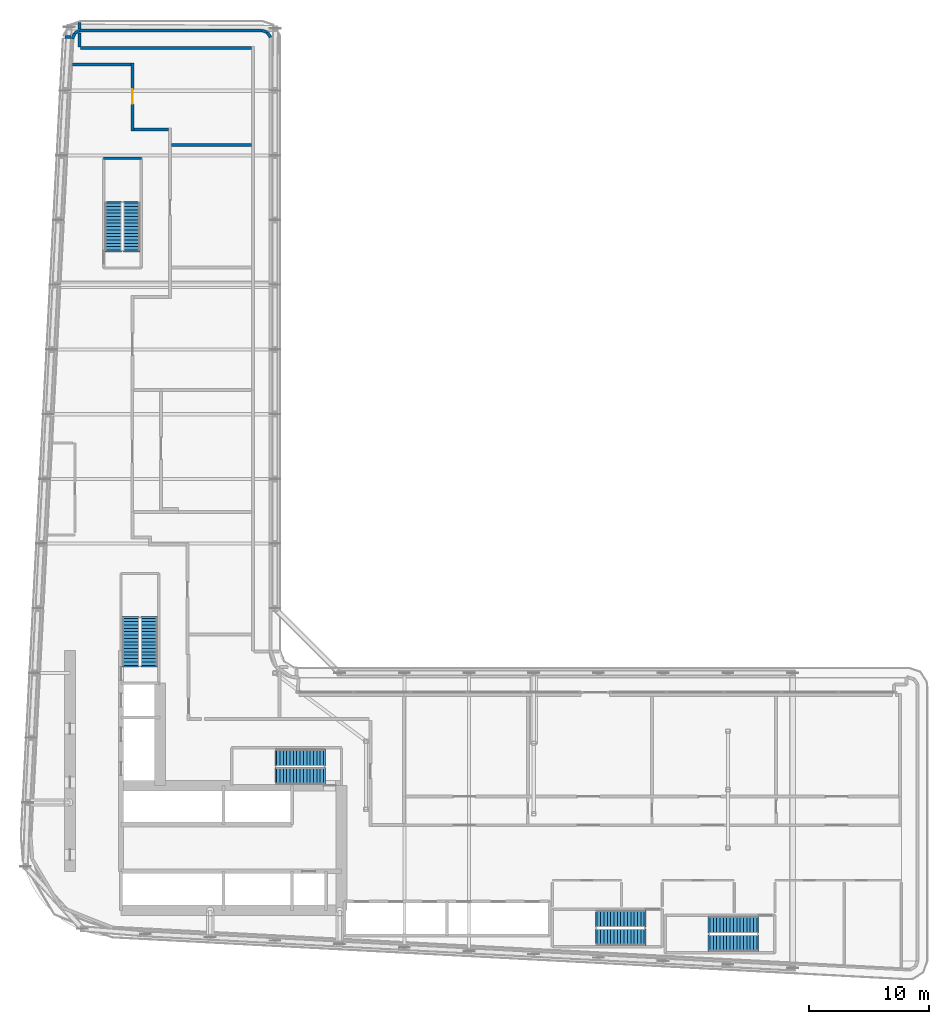
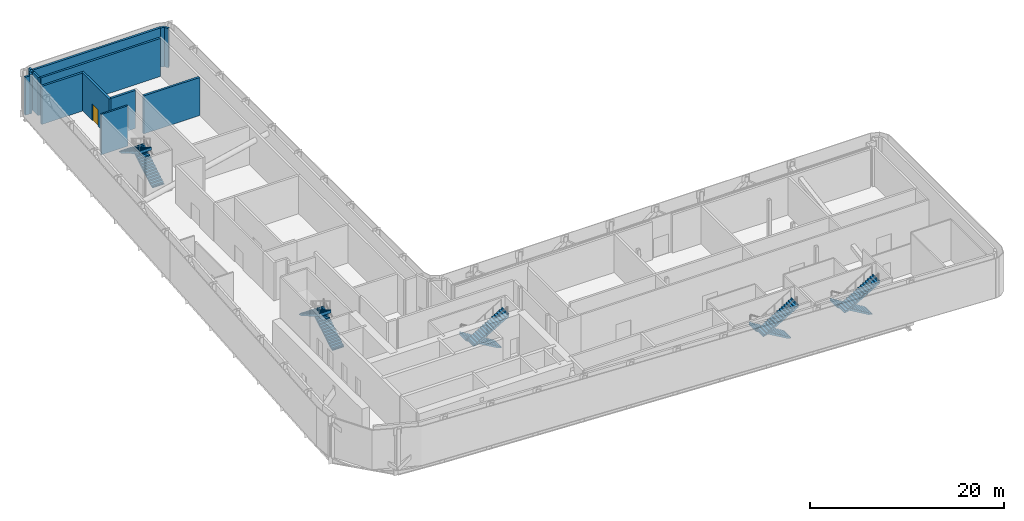
# One storey, part 23 of 30: 14 walls, 10 stair flights, 1 door, 1 opening, 5 elements without a shape of their own.
"""IFC4 building model written with IfcOpenShell, lengths in metres."""

import ifcopenshell
import ifcopenshell.guid

model = None  # the IFC model being written
_history = None  # IfcOwnerHistory: only IFC2X3 demands one
_inside = {}  # id of a spatial element -> (the spatial element, [elements in it])
_under = {}  # id of a project, library or spatial element -> (it, [spatial elements below it])
_declared = {}  # id of a project -> (the project, [libraries it declares])
_typed = {}  # id of a type object -> (the type object, [elements of that type])
_made_of = {}  # id of a material, layer set ... -> (it, [elements and type objects made of it])


def new_model(schema):
    """Start an empty IFC model of exactly this schema.

    Asked for "IFC4X3", IfcOpenShell would pick the latest addendum, in which some entities
    have other attributes; the version numbers below select the first issue.
    IFC2X3 requires an IfcOwnerHistory on every rooted entity: one is made here for all.
    """
    global model, _history
    if schema == "IFC4X3":
        model = ifcopenshell.file(schema_version=(4, 3, 0, 0))
    else:
        model = ifcopenshell.file(schema=schema)
    _inside.clear()
    _under.clear()
    _declared.clear()
    _typed.clear()
    _made_of.clear()
    _history = None
    if model.schema == "IFC2X3":
        org = make("IfcOrganization", Name="unknown")
        user = make(
            "IfcPersonAndOrganization",
            ThePerson=make("IfcPerson", FamilyName="unknown"),
            TheOrganization=org,
        )
        app = make(
            "IfcApplication",
            ApplicationDeveloper=org,
            Version="unknown",
            ApplicationFullName="unknown",
            ApplicationIdentifier="unknown",
        )
        _history = make(
            "IfcOwnerHistory",
            OwningUser=user,
            OwningApplication=app,
            ChangeAction="ADDED",
            CreationDate=0,
        )
    return model


def make(cls, **values):
    """One entity of the class cls with the attributes given. An attribute that is None is left unset."""
    return model.create_entity(
        cls, **{name: value for name, value in values.items() if value is not None}
    )


def rooted(cls, **values):
    """An entity with a GlobalId (a new one), such as an element, a storey or a relation."""
    return make(cls, GlobalId=ifcopenshell.guid.new(), OwnerHistory=_history, **values)


def si_unit(unit_type, name, prefix=None):
    """IfcSIUnit, for example si_unit("LENGTHUNIT", "METRE", prefix="MILLI")."""
    return make("IfcSIUnit", UnitType=unit_type, Prefix=prefix, Name=name)


def assignment(units):
    """IfcUnitAssignment: the units of a project."""
    return None if units is None else make("IfcUnitAssignment", Units=units)


def point(xyz):
    """IfcCartesianPoint."""
    return None if xyz is None else make("IfcCartesianPoint", Coordinates=xyz)


def direction(xyz):
    """IfcDirection."""
    return None if xyz is None else make("IfcDirection", DirectionRatios=xyz)


def frame(location, z_axis=None, x_axis=None):
    """IfcAxis2Placement3D, a coordinate frame: its origin and axes. An axis left out is left unset."""
    return make(
        "IfcAxis2Placement3D",
        Location=point(location),
        Axis=direction(z_axis),
        RefDirection=direction(x_axis),
    )


def frame_2d(location, x_axis=None):
    """IfcAxis2Placement2D, a coordinate frame in the plane: its origin and x axis."""
    return make(
        "IfcAxis2Placement2D", Location=point(location), RefDirection=direction(x_axis)
    )


def origin():
    """The frame at (0, 0, 0) with its axes left unset."""
    return frame((0.0, 0.0, 0.0))


def place(relative_to, where):
    """IfcLocalPlacement: puts the frame where relative to a parent placement (None: the world)."""
    return make(
        "IfcLocalPlacement", PlacementRelTo=relative_to, RelativePlacement=where
    )


def context(
    kind, dimensions, precision=None, world=None, true_north=None, identifier=None
):
    """IfcGeometricRepresentationContext, for example the 3D "Model" context."""
    return make(
        "IfcGeometricRepresentationContext",
        ContextIdentifier=identifier,
        ContextType=kind,
        CoordinateSpaceDimension=dimensions,
        Precision=precision,
        WorldCoordinateSystem=world,
        TrueNorth=true_north,
    )


def subcontext(parent, identifier, kind, view, scale=None):
    """IfcGeometricRepresentationSubContext, for example "Body" below "Model"."""
    return make(
        "IfcGeometricRepresentationSubContext",
        ContextIdentifier=identifier,
        ContextType=kind,
        ParentContext=parent,
        TargetScale=scale,
        TargetView=view,
    )


def project(units=None, contexts=None):
    """IfcProject with its units and contexts."""
    return rooted(
        "IfcProject",
        Name="project",
        RepresentationContexts=contexts,
        UnitsInContext=assignment(units),
    )


def spatial(cls, under=None, at=None, **own):
    """A site, building, storey or space (cls), placed at a placement, below another one or the project."""
    s = rooted(cls, ObjectPlacement=at, **own)
    if under is not None:
        _under.setdefault(under.id(), (under, []))[1].append(s)
    return s


def polyline(points):
    """IfcPolyline through the points."""
    return make("IfcPolyline", Points=[point(p) for p in points])


def profile(cls, at=None, kind="AREA", **sizes):
    """A parametric profile (cls). Its sizes go by their IFC names, for example OverallWidth=200.0."""
    return make(cls, ProfileType=kind, Position=at, **sizes)


def rectangle(**sizes):
    """IfcRectangleProfileDef."""
    return profile("IfcRectangleProfileDef", **sizes)


def outline(outer, holes=None, kind="AREA"):
    """IfcArbitraryClosedProfileDef: a profile drawn as a closed curve; with holes, ...WithVoids."""
    if holes is None:
        return make("IfcArbitraryClosedProfileDef", ProfileType=kind, OuterCurve=outer)
    return make(
        "IfcArbitraryProfileDefWithVoids",
        ProfileType=kind,
        OuterCurve=outer,
        InnerCurves=holes,
    )


def extrude(swept, where, along, depth):
    """IfcExtrudedAreaSolid: the profile swept, set in the frame where, extruded along a direction by depth."""
    return make(
        "IfcExtrudedAreaSolid",
        SweptArea=swept,
        Position=where,
        ExtrudedDirection=direction(along),
        Depth=depth,
    )


def shape(context_of_items, identifier, shape_type, items):
    """IfcShapeRepresentation: the items that make up one representation, for example the "Body"."""
    return make(
        "IfcShapeRepresentation",
        ContextOfItems=context_of_items,
        RepresentationIdentifier=identifier,
        RepresentationType=shape_type,
        Items=items,
    )


def source(mapping_origin, context_of_items, identifier, shape_type, items):
    """IfcRepresentationMap: a shape defined once, which mapped items show again and again."""
    return make(
        "IfcRepresentationMap",
        MappingOrigin=mapping_origin,
        MappedRepresentation=shape(context_of_items, identifier, shape_type, items),
    )


def transform(
    local_origin,
    x_axis=None,
    y_axis=None,
    z_axis=None,
    scale=None,
    scale2=None,
    scale3=None,
    uniform=True,
):
    """IfcCartesianTransformationOperator3D, or its non-uniform kind. x_axis, y_axis, z_axis: its Axis1, 2, 3."""
    if uniform:
        return make(
            "IfcCartesianTransformationOperator3D",
            Axis1=direction(x_axis),
            Axis2=direction(y_axis),
            LocalOrigin=point(local_origin),
            Scale=scale,
            Axis3=direction(z_axis),
        )
    return make(
        "IfcCartesianTransformationOperator3DnonUniform",
        Axis1=direction(x_axis),
        Axis2=direction(y_axis),
        LocalOrigin=point(local_origin),
        Scale=scale,
        Axis3=direction(z_axis),
        Scale2=scale2,
        Scale3=scale3,
    )


def mapped(mapping_source, mapping_target):
    """IfcMappedItem: shows the shape of a source again, moved by a transform."""
    return make(
        "IfcMappedItem", MappingSource=mapping_source, MappingTarget=mapping_target
    )


def material(Name=None, Category=None):
    """IfcMaterial."""
    return make("IfcMaterial", Name=Name, Category=Category)


def layer(
    of_material, thickness, ventilated=None, Name=None, Category=None, Priority=None
):
    """IfcMaterialLayer: one layer of a wall or slab, of a material (None: an air gap)."""
    return make(
        "IfcMaterialLayer",
        Material=of_material,
        LayerThickness=thickness,
        IsVentilated=ventilated,
        Name=Name,
        Category=Category,
        Priority=Priority,
    )


def layer_set(layers, Name=None):
    """IfcMaterialLayerSet."""
    return make("IfcMaterialLayerSet", MaterialLayers=layers, LayerSetName=Name)


def made_of(thing, what):
    """Note that an element or type object is made of a material, layer set ...; save() writes the relation."""
    if what is not None:
        _made_of.setdefault(what.id(), (what, []))[1].append(thing)
    return thing


def type_object(cls, material=None, **own):
    """A type object (cls), such as IfcWallType, which elements share."""
    return made_of(rooted(cls, **own), material)


def element(
    cls,
    number,
    at=None,
    inside=None,
    cuts=None,
    type_object=None,
    material=None,
    context=None,
    identifier="Body",
    shape_type=None,
    held_by="IfcProductDefinitionShape",
    body=None,
    shapes=None,
    **own,
):
    """One element of the class cls, such as IfcWall. Its Tag is "e" and its number.

    at: its placement. inside: the storey or other place that contains it. cuts: it is an
    opening in that element (IfcRelVoidsElement). A single representation is given by context,
    identifier, shape_type and body (its items); several are given by shapes. held_by: the class
    of the entity that holds the representations. save() writes the other relations.
    """
    e = rooted(cls, Tag="e%d" % number, ObjectPlacement=at, **own)
    if body is not None:
        shapes = [shape(context, identifier, shape_type, body)]
    if shapes is not None:
        e.Representation = make(held_by, Representations=shapes)
    if inside is not None:
        _inside.setdefault(inside.id(), (inside, []))[1].append(e)
    if cuts is not None:
        rooted(
            "IfcRelVoidsElement", RelatingBuildingElement=cuts, RelatedOpeningElement=e
        )
    if type_object is not None:
        _typed.setdefault(type_object.id(), (type_object, []))[1].append(e)
    return made_of(e, material)


def fill(opening, filler):
    """IfcRelFillsElement: the door or window that sits in an opening."""
    return rooted(
        "IfcRelFillsElement",
        RelatingOpeningElement=opening,
        RelatedBuildingElement=filler,
    )


def aggregate(whole, parts):
    """IfcRelAggregates: a whole, such as a stair, and the parts it consists of."""
    return rooted("IfcRelAggregates", RelatingObject=whole, RelatedObjects=parts)


def save(model, path):
    """Write the relations noted so far, then the file.

    IfcRelAggregates (storeys below a building ...), IfcRelContainedInSpatialStructure (elements
    in a storey), IfcRelDefinesByType, IfcRelAssociatesMaterial and IfcRelDeclares: one each for
    every whole, place, type object, material and project.
    """
    for whole, parts in _under.values():
        aggregate(whole, parts)
    for where, things in _inside.values():
        rooted(
            "IfcRelContainedInSpatialStructure",
            RelatedElements=things,
            RelatingStructure=where,
        )
    for kind, things in _typed.values():
        rooted("IfcRelDefinesByType", RelatedObjects=things, RelatingType=kind)
    for what, things in _made_of.values():
        rooted("IfcRelAssociatesMaterial", RelatedObjects=things, RelatingMaterial=what)
    for by, libraries in _declared.values():
        rooted("IfcRelDeclares", RelatingContext=by, RelatedDefinitions=libraries)
    model.write(path)


model = new_model("IFC4")

# Units and contexts
model_context = context("Model", 3, precision=1e-05, world=origin(), true_north=direction((0.0, 1.0)))
body_context = subcontext(model_context, "Body", "Model", "MODEL_VIEW")
ifc_project = project(units=[si_unit("LENGTHUNIT", "METRE"), si_unit("AREAUNIT", "SQUARE_METRE"), si_unit("VOLUMEUNIT", "CUBIC_METRE"), si_unit("PLANEANGLEUNIT", "RADIAN"), si_unit("MASSUNIT", "GRAM", prefix="KILO")], contexts=[model_context])

# Site, building, storey
site_placement = place(None, origin())
site = spatial("IfcSite", under=ifc_project, at=site_placement, CompositionType="ELEMENT")
building_placement = place(site_placement, origin())
building = spatial("IfcBuilding", under=site, at=building_placement, Name="Kheshtan School and Residences Tower", CompositionType="ELEMENT")
storey_placement = place(building_placement, frame((0.0, 0.0, 89.0)))
storey = spatial("IfcBuildingStorey", under=building, at=storey_placement, Name="L20", CompositionType="ELEMENT", Elevation=89.0)

# Walls
ifc_material_1 = material(Name="Concrete C40/50 with ceramic cladding and mineral wool insulation", Category="concrete")
ifc_layer_1 = layer(ifc_material_1, 0.25)
ifc_layer_set_1 = layer_set([ifc_layer_1], Name="External wall 250 ceramic clad")
wall_type_1 = type_object("IfcWallType", Name="External wall 250 ceramic clad", PredefinedType="SOLIDWALL", material=ifc_layer_set_1)
wall_1_placement = place(storey_placement, frame((30.697998046875, 98.528076171875, 0.0), z_axis=(0.0, 0.0, 1.0), x_axis=(0.370881773365, 0.928680090336, 0.0)))
element("IfcWall", 1, at=wall_1_placement, inside=storey, type_object=wall_type_1, Name="External wall L20 19", PredefinedType="SOLIDWALL", context=body_context, shape_type="SweptSolid", body=[
    extrude(rectangle(XDim=0.496337890625, YDim=0.25, at=frame_2d((0.248046875, 0.0))), origin(), (0.0, 0.0, 1.0), 4.949951171875),
])
wall_2_placement = place(storey_placement, frame((30.882080078125, 98.989013671875, 0.0), z_axis=(0.0, 0.0, 1.0), x_axis=(0.851899959866, 0.523704552568, 0.0)))
element("IfcWall", 2, at=wall_2_placement, inside=storey, type_object=wall_type_1, Name="External wall L20 20", PredefinedType="SOLIDWALL", context=body_context, shape_type="SweptSolid", body=[
    extrude(rectangle(XDim=0.45068359375, YDim=0.25, at=frame_2d((0.225341796875, 0.0))), origin(), (0.0, 0.0, 1.0), 4.949951171875),
])
wall_3_placement = place(storey_placement, frame((31.26611328125, 99.22509765625, 0.0), z_axis=(0.0, 0.0, 1.0), x_axis=(1.0, 0.0, 0.0)))
element("IfcWall", 3, at=wall_3_placement, inside=storey, type_object=wall_type_1, Name="External wall L20 21", PredefinedType="SOLIDWALL", context=body_context, shape_type="SweptSolid", body=[
    extrude(rectangle(XDim=15.222900390625, YDim=0.25, at=frame_2d((7.611328125, 0.0))), origin(), (0.0, 0.0, 1.0), 4.949951171875),
])
wall_4_placement = place(storey_placement, frame((46.489013671875, 99.22509765625, 0.0), z_axis=(0.0, 0.0, 1.0), x_axis=(0.952979365451, -0.303035194367, 0.0)))
element("IfcWall", 4, at=wall_4_placement, inside=storey, type_object=wall_type_1, Name="External wall L20 22", PredefinedType="SOLIDWALL", context=body_context, shape_type="SweptSolid", body=[
    extrude(rectangle(XDim=0.478515625, YDim=0.25, at=frame_2d((0.2392578125, 0.0))), origin(), (0.0, 0.0, 1.0), 4.949951171875),
])
wall_5_placement = place(storey_placement, frame((46.945068359375, 99.080078125, 0.0), z_axis=(0.0, 0.0, 1.0), x_axis=(0.554588611475, -0.832124673364, 0.0)))
element("IfcWall", 5, at=wall_5_placement, inside=storey, type_object=wall_type_1, Name="External wall L20 23", PredefinedType="SOLIDWALL", context=body_context, shape_type="SweptSolid", body=[
    extrude(rectangle(XDim=0.5048828125, YDim=0.25, at=frame_2d((0.25244140625, 0.0))), origin(), (0.0, 0.0, 1.0), 4.949951171875),
])
ifc_material_2 = material(Name="Fire-board and steel stud wall with mineral wool", Category="steel")
ifc_layer_2 = layer(ifc_material_2, 0.25)
ifc_layer_set_2 = layer_set([ifc_layer_2], Name="Plant room wall 250")
wall_type_2 = type_object("IfcWallType", Name="Plant room wall 250", PredefinedType="PARTITIONING", material=ifc_layer_set_2)
wall_6_placement = place(storey_placement, frame((30.05908203125, 98.69091796875, 0.0), z_axis=(0.0, 0.0, 1.0), x_axis=(0.998617829333, -0.052558833123, 0.0)))
element("IfcWall", 6, at=wall_6_placement, inside=storey, type_object=wall_type_2, Name="Partition L20-001", PredefinedType="PARTITIONING", context=body_context, shape_type="SweptSolid", body=[
    extrude(rectangle(XDim=0.529541015625, YDim=0.25, at=frame_2d((0.2646484375, 0.0))), origin(), (0.0, 0.0, 1.0), 4.800048828125),
])
wall_7_placement = place(storey_placement, frame((30.711181640625, 96.39990234375, 0.0), z_axis=(0.0, 0.0, 1.0), x_axis=(1.0, 0.0, 0.0)))
element("IfcWall", 7, at=wall_7_placement, inside=storey, type_object=wall_type_2, Name="Partition L20-002", PredefinedType="PARTITIONING", context=body_context, shape_type="SweptSolid", body=[
    extrude(rectangle(XDim=4.86376953125, YDim=0.25, at=frame_2d((2.431884765625, 0.0))), origin(), (0.0, 0.0, 1.0), 4.800048828125),
])
wall_8_placement = place(storey_placement, frame((31.302978515625, 97.85107421875, 0.0), z_axis=(0.0, 0.0, 1.0), x_axis=(0.0, 1.0, 0.0)))
element("IfcWall", 8, at=wall_8_placement, inside=storey, type_object=wall_type_2, Name="Partition L20-003", PredefinedType="PARTITIONING", context=body_context, shape_type="SweptSolid", body=[
    extrude(rectangle(XDim=1.173828125, YDim=0.25, at=frame_2d((0.5869140625, 0.0))), origin(), (0.0, 0.0, 1.0), 4.800048828125),
])
wall_9_placement = place(storey_placement, frame((31.302978515625, 99.34912109375, 0.0), z_axis=(0.0, 0.0, 1.0), x_axis=(0.0, 1.0, 0.0)))
element("IfcWall", 9, at=wall_9_placement, inside=storey, type_object=wall_type_2, Name="Partition L20-004", PredefinedType="PARTITIONING", context=body_context, shape_type="SweptSolid", body=[
    extrude(rectangle(XDim=0.52197265625, YDim=0.25, at=frame_2d((0.260986328125, 0.0))), origin(), (0.0, 0.0, 1.0), 4.800048828125),
])
wall_10_placement = place(storey_placement, frame((31.3740234375, 97.780029296875, 0.0), z_axis=(0.0, 0.0, 1.0), x_axis=(1.0, 0.0, 0.0)))
element("IfcWall", 10, at=wall_10_placement, inside=storey, type_object=wall_type_2, Name="Partition L20-005", PredefinedType="PARTITIONING", context=body_context, shape_type="SweptSolid", body=[
    extrude(rectangle(XDim=14.281005859375, YDim=0.25, at=frame_2d((7.140625, 0.0))), origin(), (0.0, 0.0, 1.0), 4.800048828125),
])

# Wall, opening, door
wall_11_placement = place(storey_placement, frame((35.699951171875, 90.8349609375, 0.0), z_axis=(0.0, 0.0, 1.0), x_axis=(0.0, 1.0, 0.0)))
wall_11 = element("IfcWall", 11, at=wall_11_placement, inside=storey, type_object=wall_type_2, Name="Partition L20-009", PredefinedType="PARTITIONING", context=body_context, shape_type="SweptSolid", body=[
    extrude(rectangle(XDim=5.68994140625, YDim=0.25, at=frame_2d((2.844970703125, 0.0))), origin(), (0.0, 0.0, 1.0), 4.800048828125),
])
opening_placement = place(wall_11_placement, frame((2.27490234375, 0.0, 0.0)))
opening = element("IfcOpeningElement", 12, at=opening_placement, cuts=wall_11, Name="Opening D20-010", PredefinedType="OPENING", context=body_context, shape_type="SweptSolid", body=[
    extrude(rectangle(XDim=1.199951171875, YDim=2.10009765625, at=frame_2d((0.60009765625, 1.050048828125))), frame((0.0, 0.135009765625, 0.0), z_axis=(0.0, -1.0, 0.0), x_axis=(1.0, 0.0, 0.0)), (0.0, 0.0, 1.0), 0.27001953125),
])
ifc_material_3 = material(Name="Steel-framed fire-resisting door leaf", Category="steel")
door_type = type_object("IfcDoorType", Name="Fire door FD120 1200 x 2100", OperationType="SINGLE_SWING_LEFT", PredefinedType="DOOR", material=ifc_material_3)
shared_shape = source(origin(), body_context, "Body", "SweptSolid", [
    extrude(rectangle(XDim=1.199951171875, YDim=2.10009765625, at=frame_2d((0.60009765625, 1.050048828125))), frame((0.0, 0.02490234375, 0.0), z_axis=(0.0, -1.0, 0.0), x_axis=(1.0, 0.0, 0.0)), (0.0, 0.0, 1.0), 0.050048828125),
])
door_placement = place(opening_placement, origin())
door = element("IfcDoor", 13, at=door_placement, inside=storey, type_object=door_type, Name="Door D20-010", OperationType="SINGLE_SWING_RIGHT", OverallHeight=2.10009765625, OverallWidth=1.199951171875, PredefinedType="DOOR", context=body_context, shape_type="MappedRepresentation", body=[
    mapped(shared_shape, transform((0.0, 0.0, 0.0), x_axis=(1.0, 0.0, 0.0), y_axis=(0.0, 1.0, 0.0), z_axis=(0.0, 0.0, 1.0), scale=1.0)),
])
fill(opening, door)

# Walls
wall_12_placement = place(storey_placement, frame((35.824951171875, 90.9599609375, 0.0), z_axis=(0.0, 0.0, 1.0), x_axis=(1.0, 0.0, 0.0)))
element("IfcWall", 14, at=wall_12_placement, inside=storey, type_object=wall_type_2, Name="Partition L20-014", PredefinedType="PARTITIONING", context=body_context, shape_type="SweptSolid", body=[
    extrude(rectangle(XDim=2.900146484375, YDim=0.25, at=frame_2d((1.4501953125, 0.0))), origin(), (0.0, 0.0, 1.0), 4.800048828125),
])
wall_13_placement = place(storey_placement, frame((38.97509765625, 89.658935546875, 0.0), z_axis=(0.0, 0.0, 1.0), x_axis=(1.0, 0.0, 0.0)))
element("IfcWall", 15, at=wall_13_placement, inside=storey, type_object=wall_type_2, Name="Partition L20-022", PredefinedType="PARTITIONING", context=body_context, shape_type="SweptSolid", body=[
    extrude(rectangle(XDim=6.679931640625, YDim=0.25, at=frame_2d((3.33984375, 0.0))), origin(), (0.0, 0.0, 1.0), 4.800048828125),
])
ifc_material_4 = material(Name="Concrete C40/50", Category="concrete")
ifc_layer_3 = layer(ifc_material_4, 0.199951171875)
ifc_layer_set_3 = layer_set([ifc_layer_3], Name="Stair enclosure wall 200 Concrete C40/50")
wall_type_3 = type_object("IfcWallType", Name="Stair enclosure wall 200 Concrete C40/50", PredefinedType="SHEAR", material=ifc_layer_set_3)
wall_14_placement = place(storey_placement, frame((33.300048828125, 88.56005859375, 0.0), z_axis=(0.0, 0.0, 1.0), x_axis=(1.0, 0.0, 0.0)))
element("IfcWall", 16, at=wall_14_placement, inside=storey, type_object=wall_type_3, Name="Stair enclosure wall ST3", PredefinedType="SHEAR", context=body_context, shape_type="SweptSolid", body=[
    extrude(rectangle(XDim=3.14990234375, YDim=0.199951171875, at=frame_2d((1.574951171875, 0.0))), origin(), (0.0, 0.0, 1.0), 5.10009765625),
])

# Stair, stair flights
stair_type = type_object("IfcStairType", Name="Exit stair, half-turn", PredefinedType="HALF_TURN_STAIR", material=ifc_material_4)
stair_1_placement = place(storey_placement, origin())
stair_1 = element("IfcStair", 17, at=stair_1_placement, inside=storey, type_object=stair_type, Name="L20 Protected Exit Stair ST1", PredefinedType="HALF_TURN_STAIR")
ifc_layer_4 = layer(ifc_material_4, 0.14990234375)
ifc_layer_set_4 = layer_set([ifc_layer_4], Name="Stair flight 1400 Concrete C40/50")
stair_flight_type = type_object("IfcStairFlightType", Name="Stair flight 1400 Concrete C40/50", PredefinedType="STRAIGHT", material=ifc_layer_set_4)
stair_flight_1_placement = place(storey_placement, frame((51.64990234375, 38.550048828125, 0.0), z_axis=(0.0, 0.0, 1.0), x_axis=(-1.0, 0.0, 0.0)))
stair_flight_1 = element("IfcStairFlight", 18, at=stair_flight_1_placement, type_object=stair_flight_type, Name="ST1 flight 1", NumberOfRisers=15, NumberOfTreads=14, PredefinedType="STRAIGHT", RiserHeight=0.17, TreadLength=0.28, context=body_context, shape_type="SweptSolid", body=[
    extrude(outline(polyline([(-0.14990234375, -0.10009765625), (-0.14990234375, 0.0), (0.0, 0.0), (0.0, 0.169921875), (0.280029296875, 0.169921875), (0.280029296875, 0.340087890625), (0.56005859375, 0.340087890625), (0.56005859375, 0.510009765625), (0.840087890625, 0.510009765625), (0.840087890625, 0.679931640625), (1.1201171875, 0.679931640625), (1.1201171875, 0.85009765625), (1.39990234375, 0.85009765625), (1.39990234375, 1.02001953125), (1.679931640625, 1.02001953125), (1.679931640625, 1.18994140625), (1.9599609375, 1.18994140625), (1.9599609375, 1.360107421875), (2.239990234375, 1.360107421875), (2.239990234375, 1.530029296875), (2.52001953125, 1.530029296875), (2.52001953125, 1.699951171875), (2.800048828125, 1.699951171875), (2.800048828125, 1.8701171875), (3.080078125, 1.8701171875), (3.080078125, 2.0400390625), (3.360107421875, 2.0400390625), (3.360107421875, 2.2099609375), (3.639892578125, 2.2099609375), (3.639892578125, 2.3798828125), (3.919921875, 2.3798828125), (3.919921875, 2.550048828125), (3.919921875, 2.570068359375), (4.06982421875, 2.570068359375), (4.06982421875, 2.20458984375), (0.288818359375, 0.0), (-0.14990234375, -0.10009765625)])), frame((0.0, 0.699951171875, 0.0), z_axis=(0.0, -1.0, 0.0), x_axis=(1.0, 0.0, 0.0)), (0.0, 0.0, 1.0), 1.39990234375),
])
stair_flight_2_placement = place(storey_placement, frame((47.72998046875, 37.0, 2.550048828125), z_axis=(0.0, 0.0, 1.0), x_axis=(1.0, 0.0, 0.0)))
stair_flight_2 = element("IfcStairFlight", 19, at=stair_flight_2_placement, type_object=stair_flight_type, Name="ST1 flight 2", NumberOfRisers=15, NumberOfTreads=14, PredefinedType="STRAIGHT", RiserHeight=0.17, TreadLength=0.28, context=body_context, shape_type="SweptSolid", body=[
    extrude(outline(polyline([(-0.14990234375, -0.10009765625), (-0.14990234375, 0.0), (0.0, 0.0), (0.0, 0.169921875), (0.280029296875, 0.169921875), (0.280029296875, 0.340087890625), (0.56005859375, 0.340087890625), (0.56005859375, 0.510009765625), (0.840087890625, 0.510009765625), (0.840087890625, 0.679931640625), (1.1201171875, 0.679931640625), (1.1201171875, 0.85009765625), (1.39990234375, 0.85009765625), (1.39990234375, 1.02001953125), (1.679931640625, 1.02001953125), (1.679931640625, 1.18994140625), (1.9599609375, 1.18994140625), (1.9599609375, 1.360107421875), (2.239990234375, 1.360107421875), (2.239990234375, 1.530029296875), (2.52001953125, 1.530029296875), (2.52001953125, 1.699951171875), (2.800048828125, 1.699951171875), (2.800048828125, 1.8701171875), (3.080078125, 1.8701171875), (3.080078125, 2.0400390625), (3.360107421875, 2.0400390625), (3.360107421875, 2.2099609375), (3.639892578125, 2.2099609375), (3.639892578125, 2.3798828125), (3.919921875, 2.3798828125), (3.919921875, 2.550048828125), (3.919921875, 2.570068359375), (4.06982421875, 2.570068359375), (4.06982421875, 2.20458984375), (0.288818359375, 0.0), (-0.14990234375, -0.10009765625)])), frame((0.0, 0.699951171875, 0.0), z_axis=(0.0, -1.0, 0.0), x_axis=(1.0, 0.0, 0.0)), (0.0, 0.0, 1.0), 1.39990234375),
])
aggregate(stair_1, [stair_flight_1, stair_flight_2])

stair_2_placement = place(storey_placement, origin())
stair_2 = element("IfcStair", 20, at=stair_2_placement, inside=storey, type_object=stair_type, Name="L20 Protected Exit Stair ST2", PredefinedType="HALF_TURN_STAIR")
stair_flight_3_placement = place(storey_placement, frame((37.10009765625, 46.25, 0.0), z_axis=(0.0, 0.0, 1.0), x_axis=(0.0, 1.0, 0.0)))
stair_flight_3 = element("IfcStairFlight", 21, at=stair_flight_3_placement, type_object=stair_flight_type, Name="ST2 flight 1", NumberOfRisers=15, NumberOfTreads=14, PredefinedType="STRAIGHT", RiserHeight=0.17, TreadLength=0.28, context=body_context, shape_type="SweptSolid", body=[
    extrude(outline(polyline([(-0.14990234375, -0.10009765625), (-0.14990234375, 0.0), (0.0, 0.0), (0.0, 0.169921875), (0.280029296875, 0.169921875), (0.280029296875, 0.340087890625), (0.56005859375, 0.340087890625), (0.56005859375, 0.510009765625), (0.840087890625, 0.510009765625), (0.840087890625, 0.679931640625), (1.1201171875, 0.679931640625), (1.1201171875, 0.85009765625), (1.39990234375, 0.85009765625), (1.39990234375, 1.02001953125), (1.679931640625, 1.02001953125), (1.679931640625, 1.18994140625), (1.9599609375, 1.18994140625), (1.9599609375, 1.360107421875), (2.239990234375, 1.360107421875), (2.239990234375, 1.530029296875), (2.52001953125, 1.530029296875), (2.52001953125, 1.699951171875), (2.800048828125, 1.699951171875), (2.800048828125, 1.8701171875), (3.080078125, 1.8701171875), (3.080078125, 2.0400390625), (3.360107421875, 2.0400390625), (3.360107421875, 2.2099609375), (3.639892578125, 2.2099609375), (3.639892578125, 2.3798828125), (3.919921875, 2.3798828125), (3.919921875, 2.550048828125), (3.919921875, 2.570068359375), (4.06982421875, 2.570068359375), (4.06982421875, 2.20458984375), (0.288818359375, 0.0), (-0.14990234375, -0.10009765625)])), frame((0.0, 0.699951171875, 0.0), z_axis=(0.0, -1.0, 0.0), x_axis=(1.0, 0.0, 0.0)), (0.0, 0.0, 1.0), 1.39990234375),
])
stair_flight_4_placement = place(storey_placement, frame((35.550048828125, 50.169921875, 2.550048828125), z_axis=(0.0, 0.0, 1.0), x_axis=(0.0, -1.0, 0.0)))
stair_flight_4 = element("IfcStairFlight", 22, at=stair_flight_4_placement, type_object=stair_flight_type, Name="ST2 flight 2", NumberOfRisers=15, NumberOfTreads=14, PredefinedType="STRAIGHT", RiserHeight=0.17, TreadLength=0.28, context=body_context, shape_type="SweptSolid", body=[
    extrude(outline(polyline([(-0.14990234375, -0.10009765625), (-0.14990234375, 0.0), (0.0, 0.0), (0.0, 0.169921875), (0.280029296875, 0.169921875), (0.280029296875, 0.340087890625), (0.56005859375, 0.340087890625), (0.56005859375, 0.510009765625), (0.840087890625, 0.510009765625), (0.840087890625, 0.679931640625), (1.1201171875, 0.679931640625), (1.1201171875, 0.85009765625), (1.39990234375, 0.85009765625), (1.39990234375, 1.02001953125), (1.679931640625, 1.02001953125), (1.679931640625, 1.18994140625), (1.9599609375, 1.18994140625), (1.9599609375, 1.360107421875), (2.239990234375, 1.360107421875), (2.239990234375, 1.530029296875), (2.52001953125, 1.530029296875), (2.52001953125, 1.699951171875), (2.800048828125, 1.699951171875), (2.800048828125, 1.8701171875), (3.080078125, 1.8701171875), (3.080078125, 2.0400390625), (3.360107421875, 2.0400390625), (3.360107421875, 2.2099609375), (3.639892578125, 2.2099609375), (3.639892578125, 2.3798828125), (3.919921875, 2.3798828125), (3.919921875, 2.550048828125), (3.919921875, 2.570068359375), (4.06982421875, 2.570068359375), (4.06982421875, 2.20458984375), (0.288818359375, 0.0), (-0.14990234375, -0.10009765625)])), frame((0.0, 0.699951171875, 0.0), z_axis=(0.0, -1.0, 0.0), x_axis=(1.0, 0.0, 0.0)), (0.0, 0.0, 1.0), 1.39990234375),
])
aggregate(stair_2, [stair_flight_3, stair_flight_4])

stair_3_placement = place(storey_placement, origin())
stair_3 = element("IfcStair", 23, at=stair_3_placement, inside=storey, type_object=stair_type, Name="L20 Protected Exit Stair ST3", PredefinedType="HALF_TURN_STAIR")
stair_flight_5_placement = place(storey_placement, frame((35.64990234375, 80.89990234375, 0.0), z_axis=(0.0, 0.0, 1.0), x_axis=(0.0, 1.0, 0.0)))
stair_flight_5 = element("IfcStairFlight", 24, at=stair_flight_5_placement, type_object=stair_flight_type, Name="ST3 flight 1", NumberOfRisers=15, NumberOfTreads=14, PredefinedType="STRAIGHT", RiserHeight=0.17, TreadLength=0.28, context=body_context, shape_type="SweptSolid", body=[
    extrude(outline(polyline([(-0.14990234375, -0.10009765625), (-0.14990234375, 0.0), (0.0, 0.0), (0.0, 0.169921875), (0.280029296875, 0.169921875), (0.280029296875, 0.340087890625), (0.56005859375, 0.340087890625), (0.56005859375, 0.510009765625), (0.840087890625, 0.510009765625), (0.840087890625, 0.679931640625), (1.1201171875, 0.679931640625), (1.1201171875, 0.85009765625), (1.39990234375, 0.85009765625), (1.39990234375, 1.02001953125), (1.679931640625, 1.02001953125), (1.679931640625, 1.18994140625), (1.9599609375, 1.18994140625), (1.9599609375, 1.360107421875), (2.239990234375, 1.360107421875), (2.239990234375, 1.530029296875), (2.52001953125, 1.530029296875), (2.52001953125, 1.699951171875), (2.800048828125, 1.699951171875), (2.800048828125, 1.8701171875), (3.080078125, 1.8701171875), (3.080078125, 2.0400390625), (3.360107421875, 2.0400390625), (3.360107421875, 2.2099609375), (3.639892578125, 2.2099609375), (3.639892578125, 2.3798828125), (3.919921875, 2.3798828125), (3.919921875, 2.550048828125), (3.919921875, 2.570068359375), (4.06982421875, 2.570068359375), (4.06982421875, 2.20458984375), (0.288818359375, 0.0), (-0.14990234375, -0.10009765625)])), frame((0.0, 0.699951171875, 0.0), z_axis=(0.0, -1.0, 0.0), x_axis=(1.0, 0.0, 0.0)), (0.0, 0.0, 1.0), 1.39990234375),
])
stair_flight_6_placement = place(storey_placement, frame((34.10009765625, 84.820068359375, 2.550048828125), z_axis=(0.0, 0.0, 1.0), x_axis=(0.0, -1.0, 0.0)))
stair_flight_6 = element("IfcStairFlight", 25, at=stair_flight_6_placement, type_object=stair_flight_type, Name="ST3 flight 2", NumberOfRisers=15, NumberOfTreads=14, PredefinedType="STRAIGHT", RiserHeight=0.17, TreadLength=0.28, context=body_context, shape_type="SweptSolid", body=[
    extrude(outline(polyline([(-0.14990234375, -0.10009765625), (-0.14990234375, 0.0), (0.0, 0.0), (0.0, 0.169921875), (0.280029296875, 0.169921875), (0.280029296875, 0.340087890625), (0.56005859375, 0.340087890625), (0.56005859375, 0.510009765625), (0.840087890625, 0.510009765625), (0.840087890625, 0.679931640625), (1.1201171875, 0.679931640625), (1.1201171875, 0.85009765625), (1.39990234375, 0.85009765625), (1.39990234375, 1.02001953125), (1.679931640625, 1.02001953125), (1.679931640625, 1.18994140625), (1.9599609375, 1.18994140625), (1.9599609375, 1.360107421875), (2.239990234375, 1.360107421875), (2.239990234375, 1.530029296875), (2.52001953125, 1.530029296875), (2.52001953125, 1.699951171875), (2.800048828125, 1.699951171875), (2.800048828125, 1.8701171875), (3.080078125, 1.8701171875), (3.080078125, 2.0400390625), (3.360107421875, 2.0400390625), (3.360107421875, 2.2099609375), (3.639892578125, 2.2099609375), (3.639892578125, 2.3798828125), (3.919921875, 2.3798828125), (3.919921875, 2.550048828125), (3.919921875, 2.570068359375), (4.06982421875, 2.570068359375), (4.06982421875, 2.20458984375), (0.288818359375, 0.0), (-0.14990234375, -0.10009765625)])), frame((0.0, 0.699951171875, 0.0), z_axis=(0.0, -1.0, 0.0), x_axis=(1.0, 0.0, 0.0)), (0.0, 0.0, 1.0), 1.39990234375),
])
aggregate(stair_3, [stair_flight_5, stair_flight_6])

stair_4_placement = place(storey_placement, origin())
stair_4 = element("IfcStair", 26, at=stair_4_placement, inside=storey, type_object=stair_type, Name="L20 Protected Exit Stair ST4", PredefinedType="HALF_TURN_STAIR")
stair_flight_7_placement = place(storey_placement, frame((87.820068359375, 24.60009765625, 0.0), z_axis=(0.0, 0.0, 1.0), x_axis=(-1.0, 0.0, 0.0)))
stair_flight_7 = element("IfcStairFlight", 27, at=stair_flight_7_placement, type_object=stair_flight_type, Name="ST4 flight 1", NumberOfRisers=15, NumberOfTreads=14, PredefinedType="STRAIGHT", RiserHeight=0.17, TreadLength=0.28, context=body_context, shape_type="SweptSolid", body=[
    extrude(outline(polyline([(-0.14990234375, -0.10009765625), (-0.14990234375, 0.0), (0.0, 0.0), (0.0, 0.169921875), (0.280029296875, 0.169921875), (0.280029296875, 0.340087890625), (0.56005859375, 0.340087890625), (0.56005859375, 0.510009765625), (0.840087890625, 0.510009765625), (0.840087890625, 0.679931640625), (1.1201171875, 0.679931640625), (1.1201171875, 0.85009765625), (1.39990234375, 0.85009765625), (1.39990234375, 1.02001953125), (1.679931640625, 1.02001953125), (1.679931640625, 1.18994140625), (1.9599609375, 1.18994140625), (1.9599609375, 1.360107421875), (2.239990234375, 1.360107421875), (2.239990234375, 1.530029296875), (2.52001953125, 1.530029296875), (2.52001953125, 1.699951171875), (2.800048828125, 1.699951171875), (2.800048828125, 1.8701171875), (3.080078125, 1.8701171875), (3.080078125, 2.0400390625), (3.360107421875, 2.0400390625), (3.360107421875, 2.2099609375), (3.639892578125, 2.2099609375), (3.639892578125, 2.3798828125), (3.919921875, 2.3798828125), (3.919921875, 2.550048828125), (3.919921875, 2.570068359375), (4.06982421875, 2.570068359375), (4.06982421875, 2.20458984375), (0.288818359375, 0.0), (-0.14990234375, -0.10009765625)])), frame((0.0, 0.699951171875, 0.0), z_axis=(0.0, -1.0, 0.0), x_axis=(1.0, 0.0, 0.0)), (0.0, 0.0, 1.0), 1.39990234375),
])
stair_flight_8_placement = place(storey_placement, frame((83.89990234375, 23.050048828125, 2.550048828125), z_axis=(0.0, 0.0, 1.0), x_axis=(1.0, 0.0, 0.0)))
stair_flight_8 = element("IfcStairFlight", 28, at=stair_flight_8_placement, type_object=stair_flight_type, Name="ST4 flight 2", NumberOfRisers=15, NumberOfTreads=14, PredefinedType="STRAIGHT", RiserHeight=0.17, TreadLength=0.28, context=body_context, shape_type="SweptSolid", body=[
    extrude(outline(polyline([(-0.14990234375, -0.10009765625), (-0.14990234375, 0.0), (0.0, 0.0), (0.0, 0.169921875), (0.280029296875, 0.169921875), (0.280029296875, 0.340087890625), (0.56005859375, 0.340087890625), (0.56005859375, 0.510009765625), (0.840087890625, 0.510009765625), (0.840087890625, 0.679931640625), (1.1201171875, 0.679931640625), (1.1201171875, 0.85009765625), (1.39990234375, 0.85009765625), (1.39990234375, 1.02001953125), (1.679931640625, 1.02001953125), (1.679931640625, 1.18994140625), (1.9599609375, 1.18994140625), (1.9599609375, 1.360107421875), (2.239990234375, 1.360107421875), (2.239990234375, 1.530029296875), (2.52001953125, 1.530029296875), (2.52001953125, 1.699951171875), (2.800048828125, 1.699951171875), (2.800048828125, 1.8701171875), (3.080078125, 1.8701171875), (3.080078125, 2.0400390625), (3.360107421875, 2.0400390625), (3.360107421875, 2.2099609375), (3.639892578125, 2.2099609375), (3.639892578125, 2.3798828125), (3.919921875, 2.3798828125), (3.919921875, 2.550048828125), (3.919921875, 2.570068359375), (4.06982421875, 2.570068359375), (4.06982421875, 2.20458984375), (0.288818359375, 0.0), (-0.14990234375, -0.10009765625)])), frame((0.0, 0.699951171875, 0.0), z_axis=(0.0, -1.0, 0.0), x_axis=(1.0, 0.0, 0.0)), (0.0, 0.0, 1.0), 1.39990234375),
])
aggregate(stair_4, [stair_flight_7, stair_flight_8])

stair_5_placement = place(storey_placement, origin())
stair_5 = element("IfcStair", 29, at=stair_5_placement, inside=storey, type_object=stair_type, Name="L20 Protected Exit Stair ST5", PredefinedType="HALF_TURN_STAIR")
stair_flight_9_placement = place(storey_placement, frame((78.409912109375, 25.10009765625, 0.0), z_axis=(0.0, 0.0, 1.0), x_axis=(-1.0, 0.0, 0.0)))
stair_flight_9 = element("IfcStairFlight", 30, at=stair_flight_9_placement, type_object=stair_flight_type, Name="ST5 flight 1", NumberOfRisers=15, NumberOfTreads=14, PredefinedType="STRAIGHT", RiserHeight=0.17, TreadLength=0.28, context=body_context, shape_type="SweptSolid", body=[
    extrude(outline(polyline([(-0.14990234375, -0.10009765625), (-0.14990234375, 0.0), (0.0, 0.0), (0.0, 0.169921875), (0.280029296875, 0.169921875), (0.280029296875, 0.340087890625), (0.56005859375, 0.340087890625), (0.56005859375, 0.510009765625), (0.840087890625, 0.510009765625), (0.840087890625, 0.679931640625), (1.1201171875, 0.679931640625), (1.1201171875, 0.85009765625), (1.39990234375, 0.85009765625), (1.39990234375, 1.02001953125), (1.679931640625, 1.02001953125), (1.679931640625, 1.18994140625), (1.9599609375, 1.18994140625), (1.9599609375, 1.360107421875), (2.239990234375, 1.360107421875), (2.239990234375, 1.530029296875), (2.52001953125, 1.530029296875), (2.52001953125, 1.699951171875), (2.800048828125, 1.699951171875), (2.800048828125, 1.8701171875), (3.080078125, 1.8701171875), (3.080078125, 2.0400390625), (3.360107421875, 2.0400390625), (3.360107421875, 2.2099609375), (3.639892578125, 2.2099609375), (3.639892578125, 2.3798828125), (3.919921875, 2.3798828125), (3.919921875, 2.550048828125), (3.919921875, 2.570068359375), (4.06982421875, 2.570068359375), (4.06982421875, 2.20458984375), (0.288818359375, 0.0), (-0.14990234375, -0.10009765625)])), frame((0.0, 0.699951171875, 0.0), z_axis=(0.0, -1.0, 0.0), x_axis=(1.0, 0.0, 0.0)), (0.0, 0.0, 1.0), 1.39990234375),
])
stair_flight_10_placement = place(storey_placement, frame((74.489990234375, 23.550048828125, 2.550048828125), z_axis=(0.0, 0.0, 1.0), x_axis=(1.0, 0.0, 0.0)))
stair_flight_10 = element("IfcStairFlight", 31, at=stair_flight_10_placement, type_object=stair_flight_type, Name="ST5 flight 2", NumberOfRisers=15, NumberOfTreads=14, PredefinedType="STRAIGHT", RiserHeight=0.17, TreadLength=0.28, context=body_context, shape_type="SweptSolid", body=[
    extrude(outline(polyline([(-0.14990234375, -0.10009765625), (-0.14990234375, 0.0), (0.0, 0.0), (0.0, 0.169921875), (0.280029296875, 0.169921875), (0.280029296875, 0.340087890625), (0.56005859375, 0.340087890625), (0.56005859375, 0.510009765625), (0.840087890625, 0.510009765625), (0.840087890625, 0.679931640625), (1.1201171875, 0.679931640625), (1.1201171875, 0.85009765625), (1.39990234375, 0.85009765625), (1.39990234375, 1.02001953125), (1.679931640625, 1.02001953125), (1.679931640625, 1.18994140625), (1.9599609375, 1.18994140625), (1.9599609375, 1.360107421875), (2.239990234375, 1.360107421875), (2.239990234375, 1.530029296875), (2.52001953125, 1.530029296875), (2.52001953125, 1.699951171875), (2.800048828125, 1.699951171875), (2.800048828125, 1.8701171875), (3.080078125, 1.8701171875), (3.080078125, 2.0400390625), (3.360107421875, 2.0400390625), (3.360107421875, 2.2099609375), (3.639892578125, 2.2099609375), (3.639892578125, 2.3798828125), (3.919921875, 2.3798828125), (3.919921875, 2.550048828125), (3.919921875, 2.570068359375), (4.06982421875, 2.570068359375), (4.06982421875, 2.20458984375), (0.288818359375, 0.0), (-0.14990234375, -0.10009765625)])), frame((0.0, 0.699951171875, 0.0), z_axis=(0.0, -1.0, 0.0), x_axis=(1.0, 0.0, 0.0)), (0.0, 0.0, 1.0), 1.39990234375),
])
aggregate(stair_5, [stair_flight_9, stair_flight_10])

save(model, "model.ifc")
